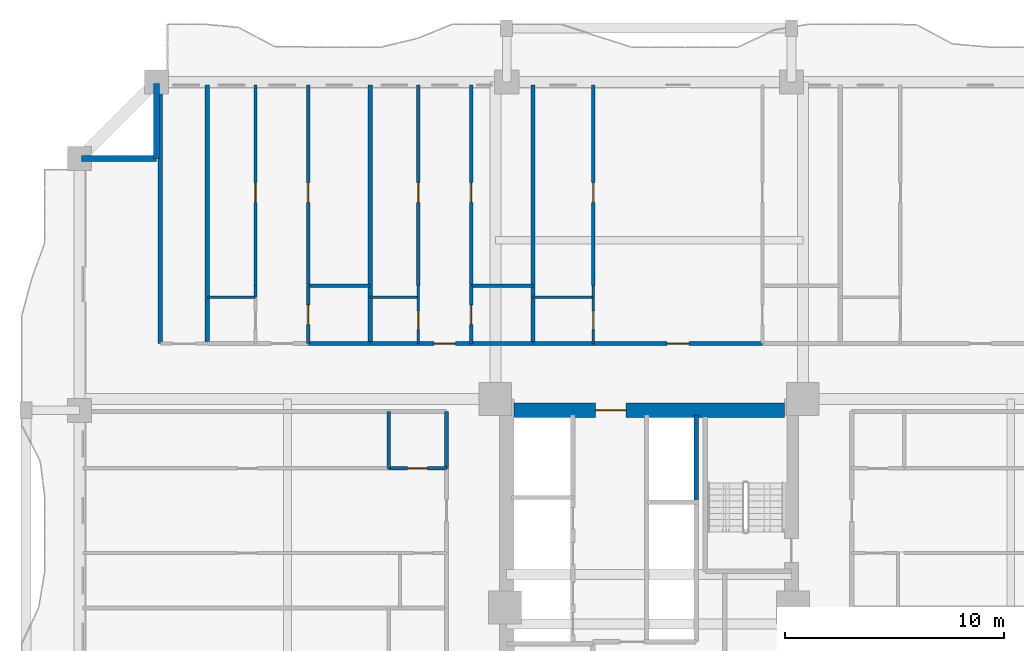
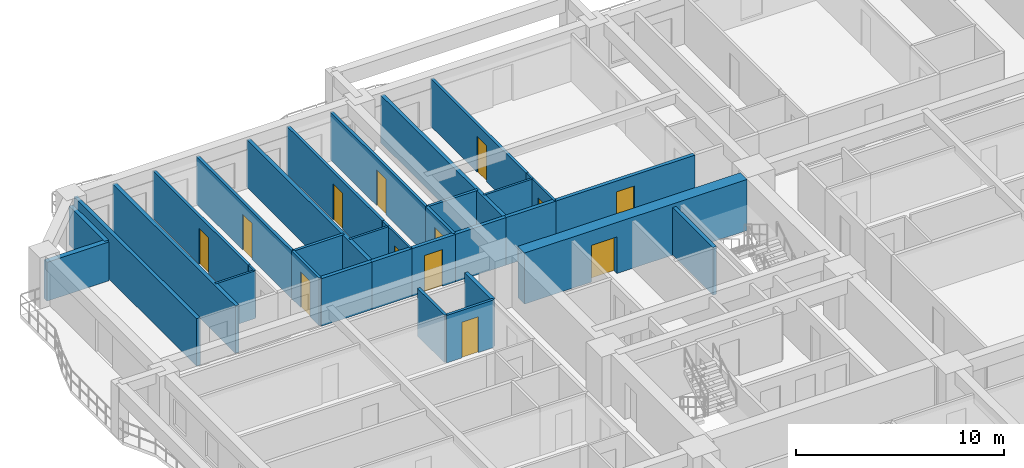
# One storey, part 6 of 15: 34 walls, 13 doors, 13 openings.
"""IFC4 building model written with IfcOpenShell, lengths in metres."""

from ifc_helpers import new_model, si_unit, direction, frame, frame_2d, origin, place, context, subcontext, project, spatial, rectangle, extrude, source, transform, mapped, material, layer, layer_set, type_object, element, fill, save


model = new_model("IFC4")

# Units and contexts
model_context = context("Model", 3, precision=1e-05, world=origin(), true_north=direction((0.0, 1.0)))
body_context = subcontext(model_context, "Body", "Model", "MODEL_VIEW")
ifc_project = project(units=[si_unit("LENGTHUNIT", "METRE"), si_unit("AREAUNIT", "SQUARE_METRE"), si_unit("VOLUMEUNIT", "CUBIC_METRE"), si_unit("PLANEANGLEUNIT", "RADIAN"), si_unit("MASSUNIT", "GRAM", prefix="KILO")], contexts=[model_context])

# Site, building, storey
site_placement = place(None, origin())
site = spatial("IfcSite", under=ifc_project, at=site_placement, CompositionType="ELEMENT")
building_placement = place(site_placement, origin())
building = spatial("IfcBuilding", under=site, at=building_placement, Name="Saelheon Loggia Tower", CompositionType="ELEMENT")
storey_placement = place(building_placement, frame((0.0, 0.0, 46.39990234375)))
storey = spatial("IfcBuildingStorey", under=building, at=storey_placement, Name="L14", CompositionType="ELEMENT", Elevation=46.39990234375)

# Wall, opening, door
ifc_material_1 = material(Name="Concrete C60/75", Category="concrete")
ifc_layer_1 = layer(ifc_material_1, 0.64990234375)
ifc_layer_set_1 = layer_set([ifc_layer_1], Name="Concrete C60/75")
wall_type_1 = type_object("IfcWallType", Name="Wall_CoreShear_650", PredefinedType="SHEAR", material=ifc_layer_set_1)
wall_1_placement = place(storey_placement, frame((31.824951171875, 36.0, 0.0), z_axis=(0.0, 0.0, 1.0), x_axis=(1.0, 0.0, 0.0)))
wall_1 = element("IfcWall", 1, at=wall_1_placement, inside=storey, type_object=wall_type_1, Name="L14 Core Shear Wall North", PredefinedType="SHEAR", context=body_context, shape_type="SweptSolid", body=[
    extrude(rectangle(XDim=12.35009765625, YDim=0.64990234375, at=frame_2d((6.175048828125, 0.0))), origin(), (0.0, 0.0, 1.0), 3.0),
])
opening_1_placement = place(wall_1_placement, frame((5.125, 0.0, 0.0), z_axis=(0.0, 0.0, 1.0), x_axis=(-1.0, 0.0, 0.0)))
opening_1 = element("IfcOpeningElement", 2, at=opening_1_placement, cuts=wall_1, Name="Opening D-FD2L", PredefinedType="OPENING", context=body_context, shape_type="SweptSolid", body=[
    extrude(rectangle(XDim=1.39990234375, YDim=2.14990234375, at=frame_2d((0.699951171875, 1.074951171875))), frame((0.0, 0.3369140625, 0.0), z_axis=(0.0, -1.0, 0.0), x_axis=(1.0, 0.0, 0.0)), (0.0, 0.0, 1.0), 0.673828125),
])
ifc_material_2 = material(Name="Galvanised Steel Glazed Lobby Fire Door", Category="steel")
door_type_1 = type_object("IfcDoorType", Name="Door_Fire_FD60_1400", OperationType="NOTDEFINED", PredefinedType="DOOR", material=ifc_material_2)
shared_shape_1 = source(origin(), body_context, "Body", "SweptSolid", [
    extrude(rectangle(XDim=1.39990234375, YDim=2.14990234375, at=frame_2d((0.699951171875, 1.074951171875))), frame((0.0, 0.02490234375, 0.0), z_axis=(0.0, -1.0, 0.0), x_axis=(1.0, 0.0, 0.0)), (0.0, 0.0, 1.0), 0.050048828125),
])
door_1_placement = place(opening_1_placement, origin())
door_1 = element("IfcDoor", 3, at=door_1_placement, inside=storey, type_object=door_type_1, Name="L14 Passenger Lift Lobby Main Door", OperationType="SINGLE_SWING_RIGHT", OverallHeight=2.14990234375, OverallWidth=1.39990234375, PredefinedType="DOOR", context=body_context, shape_type="MappedRepresentation", body=[
    mapped(shared_shape_1, transform((0.0, 0.0, 0.0), scale=1.0)),
])
fill(opening_1, door_1)

# Walls
ifc_material_3 = material(Name="Architectural Precast Concrete C40/50", Category="concrete")
ifc_layer_2 = layer(ifc_material_3, 0.280029296875)
ifc_layer_set_2 = layer_set([ifc_layer_2], Name="Architectural Precast Concrete C40/50")
wall_type_2 = type_object("IfcWallType", Name="Wall_Ext_Loggia_280", PredefinedType="SOLIDWALL", material=ifc_layer_set_2)
for number, where, z_axis, x_axis, name in (
    (4, (15.5, 47.5, 0.0), (0.0, 0.0, 1.0), (0.0, 1.0, 0.0), "L14 Corner Notch Precast Wall NW1"),
    (5, (12.080078125, 47.5, 0.0), (0.0, 0.0, 1.0), (1.0, 0.0, 0.0), "L14 Corner Notch Precast Wall NW2"),
):
    element("IfcWall", number, at=place(storey_placement, frame(where, z_axis=z_axis, x_axis=x_axis)), inside=storey, type_object=wall_type_2, Name=name, PredefinedType="SOLIDWALL", context=body_context, shape_type="SweptSolid", body=[
        extrude(rectangle(XDim=3.419921875, YDim=0.280029296875, at=frame_2d((1.7099609375, 0.0))), origin(), (0.0, 0.0, 1.0), 2.280029296875),
    ])
ifc_material_4 = material(Name="Lightweight Autoclaved Aerated Concrete Block and Acoustic Gypsum", Category="concrete")
ifc_layer_3 = layer(ifc_material_4, 0.14990234375)
ifc_layer_set_3 = layer_set([ifc_layer_3], Name="Lightweight Autoclaved Aerated Concrete Block and Acoustic Gypsum")
wall_type_3 = type_object("IfcWallType", Name="Wall_Part_150", PredefinedType="PARTITIONING", material=ifc_layer_set_3)
wall_2_placement = place(storey_placement, frame((22.440185546875, 41.68994140625, 0.0), z_axis=(0.0, 0.0, 1.0), x_axis=(1.0, 0.0, 0.0)))
element("IfcWall", 6, at=wall_2_placement, inside=storey, type_object=wall_type_3, Name="L14 N Partition V09", PredefinedType="PARTITIONING", context=body_context, shape_type="SweptSolid", body=[
    extrude(rectangle(XDim=2.82568359375, YDim=0.14990234375, at=frame_2d((1.412841796875, 0.0))), origin(), (0.0, 0.0, 1.0), 2.7900390625),
])

# Wall, opening, door
wall_3_placement = place(storey_placement, frame((20.030029296875, 41.68994140625, 0.0), z_axis=(0.0, 0.0, 1.0), x_axis=(0.0, 1.0, 0.0)))
wall_3 = element("IfcWall", 7, at=wall_3_placement, inside=storey, type_object=wall_type_3, Name="L14 N Partition U12", PredefinedType="PARTITIONING", context=body_context, shape_type="SweptSolid", body=[
    extrude(rectangle(XDim=9.16015625, YDim=0.14990234375, at=frame_2d((4.580078125, 0.0))), origin(), (0.0, 0.0, 1.0), 2.7900390625),
])
opening_2_placement = place(wall_3_placement, frame((3.805908203125, 0.0, 0.0)))
opening_2 = element("IfcOpeningElement", 8, at=opening_2_placement, cuts=wall_3, Name="Opening D-IN2", PredefinedType="OPENING", context=body_context, shape_type="SweptSolid", body=[
    extrude(rectangle(XDim=0.89990234375, YDim=2.10009765625, at=frame_2d((0.449951171875, 1.050048828125))), frame((0.0, 0.0869140625, 0.0), z_axis=(0.0, -1.0, 0.0), x_axis=(1.0, 0.0, 0.0)), (0.0, 0.0, 1.0), 0.173828125),
])
ifc_material_5 = material(Name="Engineered Oak Flush Door", Category="timber")
door_type_2 = type_object("IfcDoorType", Name="Door_Int_900", OperationType="NOTDEFINED", PredefinedType="DOOR", material=ifc_material_5)
shared_shape_2 = source(origin(), body_context, "Body", "SweptSolid", [
    extrude(rectangle(XDim=0.89990234375, YDim=2.10009765625, at=frame_2d((0.449951171875, 1.050048828125))), frame((0.0, 0.02490234375, 0.0), z_axis=(0.0, -1.0, 0.0), x_axis=(1.0, 0.0, 0.0)), (0.0, 0.0, 1.0), 0.050048828125),
])
door_2_placement = place(opening_2_placement, origin())
door_2 = element("IfcDoor", 9, at=door_2_placement, inside=storey, type_object=door_type_2, Name="Unit U03 Kitchen Door", OperationType="SINGLE_SWING_RIGHT", OverallHeight=2.10009765625, OverallWidth=0.89990234375, PredefinedType="DOOR", context=body_context, shape_type="MappedRepresentation", body=[
    mapped(shared_shape_2, transform((0.0, 0.0, 0.0), scale=1.0)),
])
fill(opening_2, door_2)

wall_4_placement = place(storey_placement, frame((22.440185546875, 39.050048828125, 0.0), z_axis=(0.0, 0.0, 1.0), x_axis=(0.0, 1.0, 0.0)))
wall_4 = element("IfcWall", 10, at=wall_4_placement, inside=storey, type_object=wall_type_3, Name="L14 N Partition U13", PredefinedType="PARTITIONING", context=body_context, shape_type="SweptSolid", body=[
    extrude(rectangle(XDim=2.639892578125, YDim=0.14990234375, at=frame_2d((1.31982421875, 0.0))), origin(), (0.0, 0.0, 1.0), 2.7900390625),
])
opening_3_placement = place(wall_4_placement, frame((0.8701171875, 0.0, 0.0)))
opening_3 = element("IfcOpeningElement", 11, at=opening_3_placement, cuts=wall_4, Name="Opening D-IN2", PredefinedType="OPENING", context=body_context, shape_type="SweptSolid", body=[
    extrude(rectangle(XDim=0.89990234375, YDim=2.10009765625, at=frame_2d((0.449951171875, 1.050048828125))), frame((0.0, 0.0869140625, 0.0), z_axis=(0.0, -1.0, 0.0), x_axis=(1.0, 0.0, 0.0)), (0.0, 0.0, 1.0), 0.173828125),
])
door_3_placement = place(opening_3_placement, origin())
door_3 = element("IfcDoor", 12, at=door_3_placement, inside=storey, type_object=door_type_2, Name="Unit U03 Dressing Closet Door", OperationType="SINGLE_SWING_LEFT", OverallHeight=2.10009765625, OverallWidth=0.89990234375, PredefinedType="DOOR", context=body_context, shape_type="MappedRepresentation", body=[
    mapped(shared_shape_2, transform((0.0, 0.0, 0.0), scale=1.0)),
])
fill(opening_3, door_3)

wall_5_placement = place(storey_placement, frame((22.440185546875, 41.68994140625, 0.0), z_axis=(0.0, 0.0, 1.0), x_axis=(0.0, 1.0, 0.0)))
wall_5 = element("IfcWall", 13, at=wall_5_placement, inside=storey, type_object=wall_type_3, Name="L14 N Partition U14", PredefinedType="PARTITIONING", context=body_context, shape_type="SweptSolid", body=[
    extrude(rectangle(XDim=9.16015625, YDim=0.14990234375, at=frame_2d((4.580078125, 0.0))), origin(), (0.0, 0.0, 1.0), 2.7900390625),
])
opening_4_placement = place(wall_5_placement, frame((3.805908203125, 0.0, 0.0)))
opening_4 = element("IfcOpeningElement", 14, at=opening_4_placement, cuts=wall_5, Name="Opening D-IN2", PredefinedType="OPENING", context=body_context, shape_type="SweptSolid", body=[
    extrude(rectangle(XDim=0.89990234375, YDim=2.10009765625, at=frame_2d((0.449951171875, 1.050048828125))), frame((0.0, 0.0869140625, 0.0), z_axis=(0.0, -1.0, 0.0), x_axis=(1.0, 0.0, 0.0)), (0.0, 0.0, 1.0), 0.173828125),
])
door_4_placement = place(opening_4_placement, origin())
door_4 = element("IfcDoor", 15, at=door_4_placement, inside=storey, type_object=door_type_2, Name="Unit U03 Bedroom 1 Door", OperationType="SINGLE_SWING_RIGHT", OverallHeight=2.10009765625, OverallWidth=0.89990234375, PredefinedType="DOOR", context=body_context, shape_type="MappedRepresentation", body=[
    mapped(shared_shape_2, transform((0.0, 0.0, 0.0), scale=1.0)),
])
fill(opening_4, door_4)

# Wall
wall_6_placement = place(storey_placement, frame((29.8759765625, 41.68994140625, 0.0), z_axis=(0.0, 0.0, 1.0), x_axis=(1.0, 0.0, 0.0)))
element("IfcWall", 16, at=wall_6_placement, inside=storey, type_object=wall_type_3, Name="L14 N Partition V20", PredefinedType="PARTITIONING", context=body_context, shape_type="SweptSolid", body=[
    extrude(rectangle(XDim=2.825439453125, YDim=0.14990234375, at=frame_2d((1.41259765625, 0.0))), origin(), (0.0, 0.0, 1.0), 2.7900390625),
])

# Wall, opening, door
wall_7_placement = place(storey_placement, frame((27.4658203125, 41.68994140625, 0.0), z_axis=(0.0, 0.0, 1.0), x_axis=(0.0, 1.0, 0.0)))
wall_7 = element("IfcWall", 17, at=wall_7_placement, inside=storey, type_object=wall_type_3, Name="L14 N Partition U23", PredefinedType="PARTITIONING", context=body_context, shape_type="SweptSolid", body=[
    extrude(rectangle(XDim=9.16015625, YDim=0.14990234375, at=frame_2d((4.580078125, 0.0))), origin(), (0.0, 0.0, 1.0), 2.7900390625),
])
opening_5_placement = place(wall_7_placement, frame((3.805908203125, 0.0, 0.0)))
opening_5 = element("IfcOpeningElement", 18, at=opening_5_placement, cuts=wall_7, Name="Opening D-IN2", PredefinedType="OPENING", context=body_context, shape_type="SweptSolid", body=[
    extrude(rectangle(XDim=0.89990234375, YDim=2.10009765625, at=frame_2d((0.449951171875, 1.050048828125))), frame((0.0, 0.0869140625, 0.0), z_axis=(0.0, -1.0, 0.0), x_axis=(1.0, 0.0, 0.0)), (0.0, 0.0, 1.0), 0.173828125),
])
door_5_placement = place(opening_5_placement, origin())
door_5 = element("IfcDoor", 19, at=door_5_placement, inside=storey, type_object=door_type_2, Name="Unit U04 Kitchen Door", OperationType="SINGLE_SWING_LEFT", OverallHeight=2.10009765625, OverallWidth=0.89990234375, PredefinedType="DOOR", context=body_context, shape_type="MappedRepresentation", body=[
    mapped(shared_shape_2, transform((0.0, 0.0, 0.0), scale=1.0)),
])
fill(opening_5, door_5)

wall_8_placement = place(storey_placement, frame((29.8759765625, 39.050048828125, 0.0), z_axis=(0.0, 0.0, 1.0), x_axis=(0.0, 1.0, 0.0)))
wall_8 = element("IfcWall", 20, at=wall_8_placement, inside=storey, type_object=wall_type_3, Name="L14 N Partition U24", PredefinedType="PARTITIONING", context=body_context, shape_type="SweptSolid", body=[
    extrude(rectangle(XDim=2.639892578125, YDim=0.14990234375, at=frame_2d((1.31982421875, 0.0))), origin(), (0.0, 0.0, 1.0), 2.7900390625),
])
opening_6_placement = place(wall_8_placement, frame((0.8701171875, 0.0, 0.0)))
opening_6 = element("IfcOpeningElement", 21, at=opening_6_placement, cuts=wall_8, Name="Opening D-IN2", PredefinedType="OPENING", context=body_context, shape_type="SweptSolid", body=[
    extrude(rectangle(XDim=0.89990234375, YDim=2.10009765625, at=frame_2d((0.449951171875, 1.050048828125))), frame((0.0, 0.0869140625, 0.0), z_axis=(0.0, -1.0, 0.0), x_axis=(1.0, 0.0, 0.0)), (0.0, 0.0, 1.0), 0.173828125),
])
door_6_placement = place(opening_6_placement, origin())
door_6 = element("IfcDoor", 22, at=door_6_placement, inside=storey, type_object=door_type_2, Name="Unit U04 Dressing Closet Door", OperationType="SINGLE_SWING_RIGHT", OverallHeight=2.10009765625, OverallWidth=0.89990234375, PredefinedType="DOOR", context=body_context, shape_type="MappedRepresentation", body=[
    mapped(shared_shape_2, transform((0.0, 0.0, 0.0), scale=1.0)),
])
fill(opening_6, door_6)

wall_9_placement = place(storey_placement, frame((29.8759765625, 41.68994140625, 0.0), z_axis=(0.0, 0.0, 1.0), x_axis=(0.0, 1.0, 0.0)))
wall_9 = element("IfcWall", 23, at=wall_9_placement, inside=storey, type_object=wall_type_3, Name="L14 N Partition U25", PredefinedType="PARTITIONING", context=body_context, shape_type="SweptSolid", body=[
    extrude(rectangle(XDim=9.16015625, YDim=0.14990234375, at=frame_2d((4.580078125, 0.0))), origin(), (0.0, 0.0, 1.0), 2.7900390625),
])
opening_7_placement = place(wall_9_placement, frame((3.805908203125, 0.0, 0.0)))
opening_7 = element("IfcOpeningElement", 24, at=opening_7_placement, cuts=wall_9, Name="Opening D-IN2", PredefinedType="OPENING", context=body_context, shape_type="SweptSolid", body=[
    extrude(rectangle(XDim=0.89990234375, YDim=2.10009765625, at=frame_2d((0.449951171875, 1.050048828125))), frame((0.0, 0.0869140625, 0.0), z_axis=(0.0, -1.0, 0.0), x_axis=(1.0, 0.0, 0.0)), (0.0, 0.0, 1.0), 0.173828125),
])
door_7_placement = place(opening_7_placement, origin())
door_7 = element("IfcDoor", 25, at=door_7_placement, inside=storey, type_object=door_type_2, Name="Unit U04 Bedroom 1 Door", OperationType="SINGLE_SWING_LEFT", OverallHeight=2.10009765625, OverallWidth=0.89990234375, PredefinedType="DOOR", context=body_context, shape_type="MappedRepresentation", body=[
    mapped(shared_shape_2, transform((0.0, 0.0, 0.0), scale=1.0)),
])
fill(opening_7, door_7)

wall_10_placement = place(storey_placement, frame((35.451416015625, 41.68994140625, 0.0), z_axis=(0.0, 0.0, 1.0), x_axis=(0.0, 1.0, 0.0)))
wall_10 = element("IfcWall", 26, at=wall_10_placement, inside=storey, type_object=wall_type_3, Name="L14 N Partition U34", PredefinedType="PARTITIONING", context=body_context, shape_type="SweptSolid", body=[
    extrude(rectangle(XDim=9.16015625, YDim=0.14990234375, at=frame_2d((4.580078125, 0.0))), origin(), (0.0, 0.0, 1.0), 2.7900390625),
])
opening_8_placement = place(wall_10_placement, frame((3.805908203125, 0.0, 0.0)))
opening_8 = element("IfcOpeningElement", 27, at=opening_8_placement, cuts=wall_10, Name="Opening D-IN2", PredefinedType="OPENING", context=body_context, shape_type="SweptSolid", body=[
    extrude(rectangle(XDim=0.89990234375, YDim=2.10009765625, at=frame_2d((0.449951171875, 1.050048828125))), frame((0.0, 0.0869140625, 0.0), z_axis=(0.0, -1.0, 0.0), x_axis=(1.0, 0.0, 0.0)), (0.0, 0.0, 1.0), 0.173828125),
])
door_8_placement = place(opening_8_placement, origin())
door_8 = element("IfcDoor", 28, at=door_8_placement, inside=storey, type_object=door_type_2, Name="Unit U05 Kitchen Door", OperationType="SINGLE_SWING_RIGHT", OverallHeight=2.10009765625, OverallWidth=0.89990234375, PredefinedType="DOOR", context=body_context, shape_type="MappedRepresentation", body=[
    mapped(shared_shape_2, transform((0.0, 0.0, 0.0), scale=1.0)),
])
fill(opening_8, door_8)

# Wall
wall_11_placement = place(storey_placement, frame((26.110107421875, 33.35009765625, 0.0), z_axis=(0.0, 0.0, 1.0), x_axis=(0.0, 1.0, 0.0)))
element("IfcWall", 29, at=wall_11_placement, inside=storey, type_object=wall_type_3, Name="L14 W Partition V18", PredefinedType="PARTITIONING", context=body_context, shape_type="SweptSolid", body=[
    extrude(rectangle(XDim=2.599853515625, YDim=0.14990234375, at=frame_2d((1.2998046875, 0.0))), origin(), (0.0, 0.0, 1.0), 2.7900390625),
])

# Wall, opening, door
wall_12_placement = place(storey_placement, frame((28.75, 33.35009765625, 0.0), z_axis=(0.0, 0.0, 1.0), x_axis=(-1.0, 0.0, 0.0)))
wall_12 = element("IfcWall", 30, at=wall_12_placement, inside=storey, type_object=wall_type_3, Name="L14 W Partition U22", PredefinedType="PARTITIONING", context=body_context, shape_type="SweptSolid", body=[
    extrude(rectangle(XDim=2.639892578125, YDim=0.14990234375, at=frame_2d((1.31982421875, 0.0))), origin(), (0.0, 0.0, 1.0), 2.7900390625),
])
opening_9_placement = place(wall_12_placement, frame((0.8701171875, 0.0, 0.0)))
opening_9 = element("IfcOpeningElement", 31, at=opening_9_placement, cuts=wall_12, Name="Opening D-IN2", PredefinedType="OPENING", context=body_context, shape_type="SweptSolid", body=[
    extrude(rectangle(XDim=0.89990234375, YDim=2.10009765625, at=frame_2d((0.449951171875, 1.050048828125))), frame((0.0, 0.0869140625, 0.0), z_axis=(0.0, -1.0, 0.0), x_axis=(1.0, 0.0, 0.0)), (0.0, 0.0, 1.0), 0.173828125),
])
door_9_placement = place(opening_9_placement, origin())
door_9 = element("IfcDoor", 32, at=door_9_placement, inside=storey, type_object=door_type_2, Name="Unit U08 Dressing Closet Door", OperationType="SINGLE_SWING_RIGHT", OverallHeight=2.10009765625, OverallWidth=0.89990234375, PredefinedType="DOOR", context=body_context, shape_type="MappedRepresentation", body=[
    mapped(shared_shape_2, transform((0.0, 0.0, 0.0), scale=1.0)),
])
fill(opening_9, door_9)

# Walls
ifc_material_6 = material(Name="Double Acoustic Stud and Fireboard Partition", Category="gypsum")
ifc_layer_4 = layer(ifc_material_6, 0.199951171875)
ifc_layer_set_4 = layer_set([ifc_layer_4], Name="Double Acoustic Stud and Fireboard Partition")
wall_type_4 = type_object("IfcWallType", Name="Wall_Party_200", PredefinedType="PARTITIONING", material=ifc_layer_set_4)
for number, where, z_axis, x_axis, name in (
    (33, (15.679931640625, 39.050048828125, 0.0), (0.0, 0.0, 1.0), (0.0, 1.0, 0.0), "L14 N Partition U01"),
    (34, (17.830078125, 39.050048828125, 0.0), (0.0, 0.0, 1.0), (0.0, 1.0, 0.0), "L14 N Partition U03"),
):
    element("IfcWall", number, at=place(storey_placement, frame(where, z_axis=z_axis, x_axis=x_axis)), inside=storey, type_object=wall_type_4, Name=name, PredefinedType="PARTITIONING", context=body_context, shape_type="SweptSolid", body=[
        extrude(rectangle(XDim=11.800048828125, YDim=0.199951171875, at=frame_2d((5.89990234375, 0.0))), origin(), (0.0, 0.0, 1.0), 2.7900390625),
    ])
wall_13_placement = place(storey_placement, frame((22.440185546875, 39.050048828125, 0.0), z_axis=(0.0, 0.0, 1.0), x_axis=(1.0, 0.0, 0.0)))
element("IfcWall", 35, at=wall_13_placement, inside=storey, type_object=wall_type_4, Name="L14 N Partition V07", PredefinedType="PARTITIONING", context=body_context, shape_type="SweptSolid", body=[
    extrude(rectangle(XDim=2.82568359375, YDim=0.199951171875, at=frame_2d((1.412841796875, 0.0))), origin(), (0.0, 0.0, 1.0), 2.7900390625),
])
wall_14_placement = place(storey_placement, frame((25.265869140625, 39.050048828125, 0.0), z_axis=(0.0, 0.0, 1.0), x_axis=(0.0, 1.0, 0.0)))
element("IfcWall", 36, at=wall_14_placement, inside=storey, type_object=wall_type_4, Name="L14 N Partition U15", PredefinedType="PARTITIONING", context=body_context, shape_type="SweptSolid", body=[
    extrude(rectangle(XDim=11.800048828125, YDim=0.199951171875, at=frame_2d((5.89990234375, 0.0))), origin(), (0.0, 0.0, 1.0), 2.7900390625),
])
wall_15_placement = place(storey_placement, frame((25.265869140625, 39.050048828125, 0.0), z_axis=(0.0, 0.0, 1.0), x_axis=(1.0, 0.0, 0.0)))
element("IfcWall", 37, at=wall_15_placement, inside=storey, type_object=wall_type_4, Name="L14 N Partition V16", PredefinedType="PARTITIONING", context=body_context, shape_type="SweptSolid", body=[
    extrude(rectangle(XDim=2.199951171875, YDim=0.199951171875, at=frame_2d((1.10009765625, 0.0))), origin(), (0.0, 0.0, 1.0), 2.7900390625),
])

# Wall, opening, door
wall_16_placement = place(storey_placement, frame((27.4658203125, 39.050048828125, 0.0), z_axis=(0.0, 0.0, 1.0), x_axis=(1.0, 0.0, 0.0)))
wall_16 = element("IfcWall", 38, at=wall_16_placement, inside=storey, type_object=wall_type_4, Name="L14 N Partition V17", PredefinedType="PARTITIONING", context=body_context, shape_type="SweptSolid", body=[
    extrude(rectangle(XDim=2.41015625, YDim=0.199951171875, at=frame_2d((1.205078125, 0.0))), origin(), (0.0, 0.0, 1.0), 2.7900390625),
])
opening_10_placement = place(wall_16_placement, frame((0.705078125, 0.0, 0.0)))
opening_10 = element("IfcOpeningElement", 39, at=opening_10_placement, cuts=wall_16, Name="Opening D-FD1", PredefinedType="OPENING", context=body_context, shape_type="SweptSolid", body=[
    extrude(rectangle(XDim=1.0, YDim=2.14990234375, at=frame_2d((0.5, 1.074951171875))), frame((0.0, 0.112060546875, 0.0), z_axis=(0.0, -1.0, 0.0), x_axis=(1.0, 0.0, 0.0)), (0.0, 0.0, 1.0), 0.223876953125),
])
ifc_material_7 = material(Name="Fire-Rated Engineered Timber Entrance Door", Category="wood")
door_type_3 = type_object("IfcDoorType", Name="Door_Flat_FD30S", OperationType="NOTDEFINED", PredefinedType="DOOR", material=ifc_material_7)
shared_shape_3 = source(origin(), body_context, "Body", "SweptSolid", [
    extrude(rectangle(XDim=1.0, YDim=2.14990234375, at=frame_2d((0.5, 1.074951171875))), frame((0.0, 0.02490234375, 0.0), z_axis=(0.0, -1.0, 0.0), x_axis=(1.0, 0.0, 0.0)), (0.0, 0.0, 1.0), 0.050048828125),
])
door_10_placement = place(opening_10_placement, origin())
door_10 = element("IfcDoor", 40, at=door_10_placement, inside=storey, type_object=door_type_3, Name="Unit U04 Entrance Door", OperationType="SINGLE_SWING_LEFT", OverallHeight=2.14990234375, OverallWidth=1.0, PredefinedType="DOOR", context=body_context, shape_type="MappedRepresentation", body=[
    mapped(shared_shape_3, transform((0.0, 0.0, 0.0), scale=1.0)),
])
fill(opening_10, door_10)

# Walls
wall_17_placement = place(storey_placement, frame((29.8759765625, 39.050048828125, 0.0), z_axis=(0.0, 0.0, 1.0), x_axis=(1.0, 0.0, 0.0)))
element("IfcWall", 41, at=wall_17_placement, inside=storey, type_object=wall_type_4, Name="L14 N Partition V18", PredefinedType="PARTITIONING", context=body_context, shape_type="SweptSolid", body=[
    extrude(rectangle(XDim=2.825439453125, YDim=0.199951171875, at=frame_2d((1.41259765625, 0.0))), origin(), (0.0, 0.0, 1.0), 2.7900390625),
])
wall_18_placement = place(storey_placement, frame((32.701416015625, 39.050048828125, 0.0), z_axis=(0.0, 0.0, 1.0), x_axis=(0.0, 1.0, 0.0)))
element("IfcWall", 42, at=wall_18_placement, inside=storey, type_object=wall_type_4, Name="L14 N Partition U26", PredefinedType="PARTITIONING", context=body_context, shape_type="SweptSolid", body=[
    extrude(rectangle(XDim=11.800048828125, YDim=0.199951171875, at=frame_2d((5.89990234375, 0.0))), origin(), (0.0, 0.0, 1.0), 2.7900390625),
])
wall_19_placement = place(storey_placement, frame((32.701416015625, 39.050048828125, 0.0), z_axis=(0.0, 0.0, 1.0), x_axis=(1.0, 0.0, 0.0)))
element("IfcWall", 43, at=wall_19_placement, inside=storey, type_object=wall_type_4, Name="L14 N Partition V27", PredefinedType="PARTITIONING", context=body_context, shape_type="SweptSolid", body=[
    extrude(rectangle(XDim=2.75, YDim=0.199951171875, at=frame_2d((1.375, 0.0))), origin(), (0.0, 0.0, 1.0), 2.7900390625),
])

# Wall, opening, door
wall_20_placement = place(storey_placement, frame((35.451416015625, 39.050048828125, 0.0), z_axis=(0.0, 0.0, 1.0), x_axis=(1.0, 0.0, 0.0)))
wall_20 = element("IfcWall", 44, at=wall_20_placement, inside=storey, type_object=wall_type_4, Name="L14 N Partition V28", PredefinedType="PARTITIONING", context=body_context, shape_type="SweptSolid", body=[
    extrude(rectangle(XDim=7.723876953125, YDim=0.199951171875, at=frame_2d((3.86181640625, 0.0))), origin(), (0.0, 0.0, 1.0), 2.7900390625),
])
opening_11_placement = place(wall_20_placement, frame((3.36181640625, 0.0, 0.0)))
opening_11 = element("IfcOpeningElement", 45, at=opening_11_placement, cuts=wall_20, Name="Opening D-FD1", PredefinedType="OPENING", context=body_context, shape_type="SweptSolid", body=[
    extrude(rectangle(XDim=1.0, YDim=2.14990234375, at=frame_2d((0.5, 1.074951171875))), frame((0.0, 0.112060546875, 0.0), z_axis=(0.0, -1.0, 0.0), x_axis=(1.0, 0.0, 0.0)), (0.0, 0.0, 1.0), 0.223876953125),
])
door_11_placement = place(opening_11_placement, origin())
door_11 = element("IfcDoor", 46, at=door_11_placement, inside=storey, type_object=door_type_3, Name="Unit U05 Entrance Door", OperationType="SINGLE_SWING_RIGHT", OverallHeight=2.14990234375, OverallWidth=1.0, PredefinedType="DOOR", context=body_context, shape_type="MappedRepresentation", body=[
    mapped(shared_shape_3, transform((0.0, 0.0, 0.0), scale=1.0)),
])
fill(opening_11, door_11)

# Walls
wall_21_placement = place(storey_placement, frame((28.75, 33.35009765625, 0.0), z_axis=(0.0, 0.0, 1.0), x_axis=(0.0, 1.0, 0.0)))
element("IfcWall", 47, at=wall_21_placement, inside=storey, type_object=wall_type_4, Name="L14 W Partition V16", PredefinedType="PARTITIONING", context=body_context, shape_type="SweptSolid", body=[
    extrude(rectangle(XDim=2.599853515625, YDim=0.199951171875, at=frame_2d((1.2998046875, 0.0))), origin(), (0.0, 0.0, 1.0), 2.7900390625),
])
ifc_material_8 = material(Name="Concrete C40/50", Category="concrete")
ifc_layer_5 = layer(ifc_material_8, 0.199951171875)
ifc_layer_set_5 = layer_set([ifc_layer_5], Name="Concrete C40/50")
wall_type_5 = type_object("IfcWallType", Name="Wall_Shaft_200", PredefinedType="PARTITIONING", material=ifc_layer_set_5)
wall_22_placement = place(storey_placement, frame((40.14990234375, 31.800048828125, 0.0), z_axis=(0.0, 0.0, 1.0), x_axis=(0.0, 1.0, 0.0)))
element("IfcWall", 48, at=wall_22_placement, inside=storey, type_object=wall_type_5, Name="L14 East High-Rise Hoistway East Wall", PredefinedType="PARTITIONING", context=body_context, shape_type="SweptSolid", body=[
    extrude(rectangle(XDim=3.97998046875, YDim=0.199951171875, at=frame_2d((1.989990234375, 0.0))), origin(), (0.0, 0.0, 1.0), 2.7900390625),
])
ifc_material_9 = material(Name="Moisture-Resistant Cement Board Partition", Category="gypsum")
ifc_layer_6 = layer(ifc_material_9, 0.1201171875)
ifc_layer_set_6 = layer_set([ifc_layer_6], Name="Moisture-Resistant Cement Board Partition")
wall_type_6 = type_object("IfcWallType", Name="Wall_WetPart_120", PredefinedType="PARTITIONING", material=ifc_layer_set_6)
wall_23_placement = place(storey_placement, frame((17.830078125, 41.169921875, 0.0), z_axis=(0.0, 0.0, 1.0), x_axis=(1.0, 0.0, 0.0)))
element("IfcWall", 49, at=wall_23_placement, inside=storey, type_object=wall_type_6, Name="L14 N Partition V08", PredefinedType="PARTITIONING", context=body_context, shape_type="SweptSolid", body=[
    extrude(rectangle(XDim=2.199951171875, YDim=0.1201171875, at=frame_2d((1.10009765625, 0.0))), origin(), (0.0, 0.0, 1.0), 2.7900390625),
])
wall_24_placement = place(storey_placement, frame((20.030029296875, 41.169921875, 0.0), z_axis=(0.0, 0.0, 1.0), x_axis=(0.0, 1.0, 0.0)))
element("IfcWall", 50, at=wall_24_placement, inside=storey, type_object=wall_type_6, Name="L14 N Partition U11", PredefinedType="PARTITIONING", context=body_context, shape_type="SweptSolid", body=[
    extrude(rectangle(XDim=0.52001953125, YDim=0.1201171875, at=frame_2d((0.260009765625, 0.0))), origin(), (0.0, 0.0, 1.0), 2.7900390625),
])
wall_25_placement = place(storey_placement, frame((25.265869140625, 41.169921875, 0.0), z_axis=(0.0, 0.0, 1.0), x_axis=(1.0, 0.0, 0.0)))
element("IfcWall", 51, at=wall_25_placement, inside=storey, type_object=wall_type_6, Name="L14 N Partition V19", PredefinedType="PARTITIONING", context=body_context, shape_type="SweptSolid", body=[
    extrude(rectangle(XDim=2.199951171875, YDim=0.1201171875, at=frame_2d((1.10009765625, 0.0))), origin(), (0.0, 0.0, 1.0), 2.7900390625),
])

# Wall, opening, door
wall_26_placement = place(storey_placement, frame((27.4658203125, 39.050048828125, 0.0), z_axis=(0.0, 0.0, 1.0), x_axis=(0.0, 1.0, 0.0)))
wall_26 = element("IfcWall", 52, at=wall_26_placement, inside=storey, type_object=wall_type_6, Name="L14 N Partition U21", PredefinedType="PARTITIONING", context=body_context, shape_type="SweptSolid", body=[
    extrude(rectangle(XDim=2.119873046875, YDim=0.1201171875, at=frame_2d((1.06005859375, 0.0))), origin(), (0.0, 0.0, 1.0), 2.7900390625),
])
opening_12_placement = place(wall_26_placement, frame((0.635009765625, 0.0, 0.0)))
opening_12 = element("IfcOpeningElement", 53, at=opening_12_placement, cuts=wall_26, Name="Opening D-BT1", PredefinedType="OPENING", context=body_context, shape_type="SweptSolid", body=[
    extrude(rectangle(XDim=0.85009765625, YDim=2.050048828125, at=frame_2d((0.425048828125, 1.02490234375))), frame((0.0, 0.072021484375, 0.0), z_axis=(0.0, -1.0, 0.0), x_axis=(1.0, 0.0, 0.0)), (0.0, 0.0, 1.0), 0.14404296875),
])
ifc_material_10 = material(Name="Moisture-Resistant Laminate Timber Door", Category="wood")
door_type_4 = type_object("IfcDoorType", Name="Door_Bath_850", OperationType="NOTDEFINED", PredefinedType="DOOR", material=ifc_material_10)
shared_shape_4 = source(origin(), body_context, "Body", "SweptSolid", [
    extrude(rectangle(XDim=0.85009765625, YDim=2.050048828125, at=frame_2d((0.425048828125, 1.02490234375))), frame((0.0, 0.02490234375, 0.0), z_axis=(0.0, -1.0, 0.0), x_axis=(1.0, 0.0, 0.0)), (0.0, 0.0, 1.0), 0.050048828125),
])
door_12_placement = place(opening_12_placement, origin())
door_12 = element("IfcDoor", 54, at=door_12_placement, inside=storey, type_object=door_type_4, Name="Unit U04 Bathroom Door", OperationType="SINGLE_SWING_RIGHT", OverallHeight=2.050048828125, OverallWidth=0.85009765625, PredefinedType="DOOR", context=body_context, shape_type="MappedRepresentation", body=[
    mapped(shared_shape_4, transform((0.0, 0.0, 0.0), scale=1.0)),
])
fill(opening_12, door_12)

# Walls
wall_27_placement = place(storey_placement, frame((27.4658203125, 41.169921875, 0.0), z_axis=(0.0, 0.0, 1.0), x_axis=(0.0, 1.0, 0.0)))
element("IfcWall", 55, at=wall_27_placement, inside=storey, type_object=wall_type_6, Name="L14 N Partition U22", PredefinedType="PARTITIONING", context=body_context, shape_type="SweptSolid", body=[
    extrude(rectangle(XDim=0.52001953125, YDim=0.1201171875, at=frame_2d((0.260009765625, 0.0))), origin(), (0.0, 0.0, 1.0), 2.7900390625),
])
wall_28_placement = place(storey_placement, frame((32.701416015625, 41.169921875, 0.0), z_axis=(0.0, 0.0, 1.0), x_axis=(1.0, 0.0, 0.0)))
element("IfcWall", 56, at=wall_28_placement, inside=storey, type_object=wall_type_6, Name="L14 N Partition V30", PredefinedType="PARTITIONING", context=body_context, shape_type="SweptSolid", body=[
    extrude(rectangle(XDim=2.75, YDim=0.1201171875, at=frame_2d((1.375, 0.0))), origin(), (0.0, 0.0, 1.0), 2.7900390625),
])

# Wall, opening, door
wall_29_placement = place(storey_placement, frame((35.451416015625, 39.050048828125, 0.0), z_axis=(0.0, 0.0, 1.0), x_axis=(0.0, 1.0, 0.0)))
wall_29 = element("IfcWall", 57, at=wall_29_placement, inside=storey, type_object=wall_type_6, Name="L14 N Partition U32", PredefinedType="PARTITIONING", context=body_context, shape_type="SweptSolid", body=[
    extrude(rectangle(XDim=2.119873046875, YDim=0.1201171875, at=frame_2d((1.06005859375, 0.0))), origin(), (0.0, 0.0, 1.0), 2.7900390625),
])
opening_13_placement = place(wall_29_placement, frame((0.635009765625, 0.0, 0.0)))
opening_13 = element("IfcOpeningElement", 58, at=opening_13_placement, cuts=wall_29, Name="Opening D-BT1", PredefinedType="OPENING", context=body_context, shape_type="SweptSolid", body=[
    extrude(rectangle(XDim=0.85009765625, YDim=2.050048828125, at=frame_2d((0.425048828125, 1.02490234375))), frame((0.0, 0.072021484375, 0.0), z_axis=(0.0, -1.0, 0.0), x_axis=(1.0, 0.0, 0.0)), (0.0, 0.0, 1.0), 0.14404296875),
])
door_13_placement = place(opening_13_placement, origin())
door_13 = element("IfcDoor", 59, at=door_13_placement, inside=storey, type_object=door_type_4, Name="Unit U05 Bathroom Door", OperationType="SINGLE_SWING_LEFT", OverallHeight=2.050048828125, OverallWidth=0.85009765625, PredefinedType="DOOR", context=body_context, shape_type="MappedRepresentation", body=[
    mapped(shared_shape_4, transform((0.0, 0.0, 0.0), scale=1.0)),
])
fill(opening_13, door_13)

# Wall
wall_30_placement = place(storey_placement, frame((35.451416015625, 41.169921875, 0.0), z_axis=(0.0, 0.0, 1.0), x_axis=(0.0, 1.0, 0.0)))
element("IfcWall", 60, at=wall_30_placement, inside=storey, type_object=wall_type_6, Name="L14 N Partition U33", PredefinedType="PARTITIONING", context=body_context, shape_type="SweptSolid", body=[
    extrude(rectangle(XDim=0.52001953125, YDim=0.1201171875, at=frame_2d((0.260009765625, 0.0))), origin(), (0.0, 0.0, 1.0), 2.7900390625),
])

save(model, "model.ifc")
